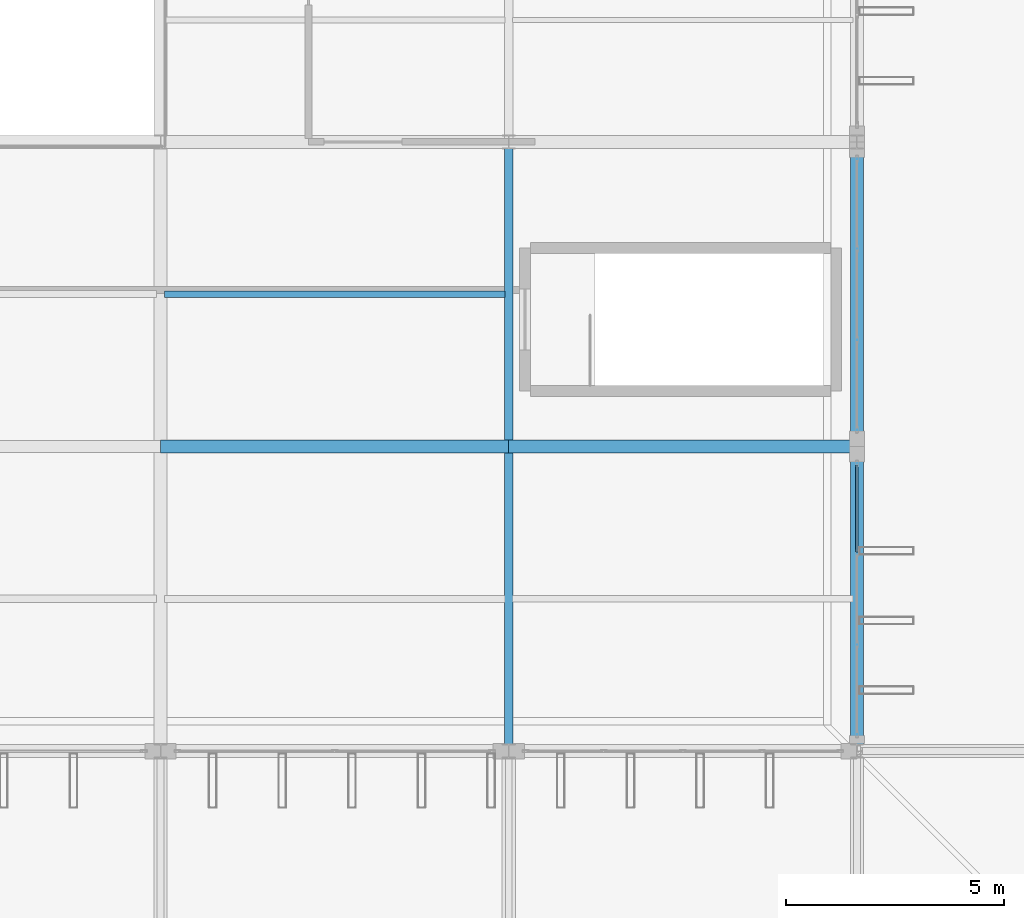
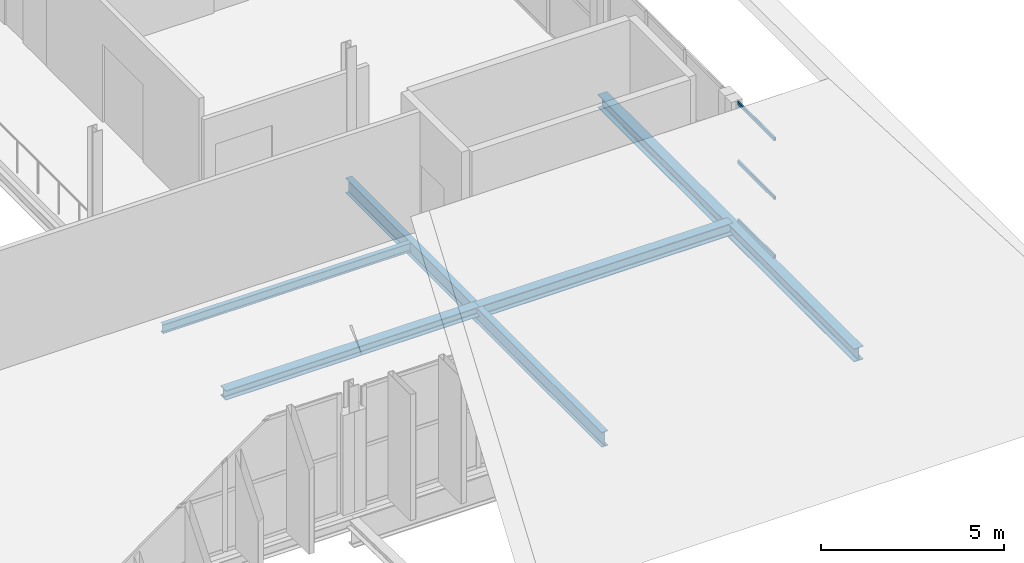
# One storey, part 39 of 93: 5 beams, 3 members, 1 element without a shape of its own.
"""IFC4 building model written with IfcOpenShell, lengths in metres."""

import ifcopenshell
import ifcopenshell.guid

model = None  # the IFC model being written
_history = None  # IfcOwnerHistory: only IFC2X3 demands one
_inside = {}  # id of a spatial element -> (the spatial element, [elements in it])
_under = {}  # id of a project, library or spatial element -> (it, [spatial elements below it])
_declared = {}  # id of a project -> (the project, [libraries it declares])
_typed = {}  # id of a type object -> (the type object, [elements of that type])
_made_of = {}  # id of a material, layer set ... -> (it, [elements and type objects made of it])


def new_model(schema):
    """Start an empty IFC model of exactly this schema.

    Asked for "IFC4X3", IfcOpenShell would pick the latest addendum, in which some entities
    have other attributes; the version numbers below select the first issue.
    IFC2X3 requires an IfcOwnerHistory on every rooted entity: one is made here for all.
    """
    global model, _history
    if schema == "IFC4X3":
        model = ifcopenshell.file(schema_version=(4, 3, 0, 0))
    else:
        model = ifcopenshell.file(schema=schema)
    _inside.clear()
    _under.clear()
    _declared.clear()
    _typed.clear()
    _made_of.clear()
    _history = None
    if model.schema == "IFC2X3":
        org = make("IfcOrganization", Name="unknown")
        user = make(
            "IfcPersonAndOrganization",
            ThePerson=make("IfcPerson", FamilyName="unknown"),
            TheOrganization=org,
        )
        app = make(
            "IfcApplication",
            ApplicationDeveloper=org,
            Version="unknown",
            ApplicationFullName="unknown",
            ApplicationIdentifier="unknown",
        )
        _history = make(
            "IfcOwnerHistory",
            OwningUser=user,
            OwningApplication=app,
            ChangeAction="ADDED",
            CreationDate=0,
        )
    return model


def make(cls, **values):
    """One entity of the class cls with the attributes given. An attribute that is None is left unset."""
    return model.create_entity(
        cls, **{name: value for name, value in values.items() if value is not None}
    )


def rooted(cls, **values):
    """An entity with a GlobalId (a new one), such as an element, a storey or a relation."""
    return make(cls, GlobalId=ifcopenshell.guid.new(), OwnerHistory=_history, **values)


def si_unit(unit_type, name, prefix=None):
    """IfcSIUnit, for example si_unit("LENGTHUNIT", "METRE", prefix="MILLI")."""
    return make("IfcSIUnit", UnitType=unit_type, Prefix=prefix, Name=name)


def assignment(units):
    """IfcUnitAssignment: the units of a project."""
    return None if units is None else make("IfcUnitAssignment", Units=units)


def point(xyz):
    """IfcCartesianPoint."""
    return None if xyz is None else make("IfcCartesianPoint", Coordinates=xyz)


def direction(xyz):
    """IfcDirection."""
    return None if xyz is None else make("IfcDirection", DirectionRatios=xyz)


def frame(location, z_axis=None, x_axis=None):
    """IfcAxis2Placement3D, a coordinate frame: its origin and axes. An axis left out is left unset."""
    return make(
        "IfcAxis2Placement3D",
        Location=point(location),
        Axis=direction(z_axis),
        RefDirection=direction(x_axis),
    )


def frame_2d(location, x_axis=None):
    """IfcAxis2Placement2D, a coordinate frame in the plane: its origin and x axis."""
    return make(
        "IfcAxis2Placement2D", Location=point(location), RefDirection=direction(x_axis)
    )


def origin():
    """The frame at (0, 0, 0) with its axes left unset."""
    return frame((0.0, 0.0, 0.0))


def origin_2d():
    """The frame at (0, 0) in the plane with its x axis left unset."""
    return frame_2d((0.0, 0.0))


def place(relative_to, where):
    """IfcLocalPlacement: puts the frame where relative to a parent placement (None: the world)."""
    return make(
        "IfcLocalPlacement", PlacementRelTo=relative_to, RelativePlacement=where
    )


def context(
    kind, dimensions, precision=None, world=None, true_north=None, identifier=None
):
    """IfcGeometricRepresentationContext, for example the 3D "Model" context."""
    return make(
        "IfcGeometricRepresentationContext",
        ContextIdentifier=identifier,
        ContextType=kind,
        CoordinateSpaceDimension=dimensions,
        Precision=precision,
        WorldCoordinateSystem=world,
        TrueNorth=true_north,
    )


def subcontext(parent, identifier, kind, view, scale=None):
    """IfcGeometricRepresentationSubContext, for example "Body" below "Model"."""
    return make(
        "IfcGeometricRepresentationSubContext",
        ContextIdentifier=identifier,
        ContextType=kind,
        ParentContext=parent,
        TargetScale=scale,
        TargetView=view,
    )


def project(units=None, contexts=None):
    """IfcProject with its units and contexts."""
    return rooted(
        "IfcProject",
        Name="project",
        RepresentationContexts=contexts,
        UnitsInContext=assignment(units),
    )


def spatial(cls, under=None, at=None, **own):
    """A site, building, storey or space (cls), placed at a placement, below another one or the project."""
    s = rooted(cls, ObjectPlacement=at, **own)
    if under is not None:
        _under.setdefault(under.id(), (under, []))[1].append(s)
    return s


def profile(cls, at=None, kind="AREA", **sizes):
    """A parametric profile (cls). Its sizes go by their IFC names, for example OverallWidth=200.0."""
    return make(cls, ProfileType=kind, Position=at, **sizes)


def hollow_rectangle(**sizes):
    """IfcRectangleHollowProfileDef."""
    return profile("IfcRectangleHollowProfileDef", **sizes)


def i_section(**sizes):
    """IfcIShapeProfileDef."""
    return profile("IfcIShapeProfileDef", **sizes)


def extrude(swept, where, along, depth):
    """IfcExtrudedAreaSolid: the profile swept, set in the frame where, extruded along a direction by depth."""
    return make(
        "IfcExtrudedAreaSolid",
        SweptArea=swept,
        Position=where,
        ExtrudedDirection=direction(along),
        Depth=depth,
    )


def shape(context_of_items, identifier, shape_type, items):
    """IfcShapeRepresentation: the items that make up one representation, for example the "Body"."""
    return make(
        "IfcShapeRepresentation",
        ContextOfItems=context_of_items,
        RepresentationIdentifier=identifier,
        RepresentationType=shape_type,
        Items=items,
    )


def material(Name=None, Category=None):
    """IfcMaterial."""
    return make("IfcMaterial", Name=Name, Category=Category)


def layer(
    of_material, thickness, ventilated=None, Name=None, Category=None, Priority=None
):
    """IfcMaterialLayer: one layer of a wall or slab, of a material (None: an air gap)."""
    return make(
        "IfcMaterialLayer",
        Material=of_material,
        LayerThickness=thickness,
        IsVentilated=ventilated,
        Name=Name,
        Category=Category,
        Priority=Priority,
    )


def layer_set(layers, Name=None):
    """IfcMaterialLayerSet."""
    return make("IfcMaterialLayerSet", MaterialLayers=layers, LayerSetName=Name)


def material_profile(
    of_material, cross_section, Name=None, Category=None, Priority=None
):
    """IfcMaterialProfile: a cross section and its material."""
    return make(
        "IfcMaterialProfile",
        Name=Name,
        Material=of_material,
        Profile=cross_section,
        Priority=Priority,
        Category=Category,
    )


def profile_set(profiles, Name=None, composite=None):
    """IfcMaterialProfileSet."""
    return make(
        "IfcMaterialProfileSet",
        Name=Name,
        MaterialProfiles=profiles,
        CompositeProfile=composite,
    )


def made_of(thing, what):
    """Note that an element or type object is made of a material, layer set ...; save() writes the relation."""
    if what is not None:
        _made_of.setdefault(what.id(), (what, []))[1].append(thing)
    return thing


def type_object(cls, material=None, **own):
    """A type object (cls), such as IfcWallType, which elements share."""
    return made_of(rooted(cls, **own), material)


def element(
    cls,
    number,
    at=None,
    inside=None,
    cuts=None,
    type_object=None,
    material=None,
    context=None,
    identifier="Body",
    shape_type=None,
    held_by="IfcProductDefinitionShape",
    body=None,
    shapes=None,
    **own,
):
    """One element of the class cls, such as IfcWall. Its Tag is "e" and its number.

    at: its placement. inside: the storey or other place that contains it. cuts: it is an
    opening in that element (IfcRelVoidsElement). A single representation is given by context,
    identifier, shape_type and body (its items); several are given by shapes. held_by: the class
    of the entity that holds the representations. save() writes the other relations.
    """
    e = rooted(cls, Tag="e%d" % number, ObjectPlacement=at, **own)
    if body is not None:
        shapes = [shape(context, identifier, shape_type, body)]
    if shapes is not None:
        e.Representation = make(held_by, Representations=shapes)
    if inside is not None:
        _inside.setdefault(inside.id(), (inside, []))[1].append(e)
    if cuts is not None:
        rooted(
            "IfcRelVoidsElement", RelatingBuildingElement=cuts, RelatedOpeningElement=e
        )
    if type_object is not None:
        _typed.setdefault(type_object.id(), (type_object, []))[1].append(e)
    return made_of(e, material)


def aggregate(whole, parts):
    """IfcRelAggregates: a whole, such as a stair, and the parts it consists of."""
    return rooted("IfcRelAggregates", RelatingObject=whole, RelatedObjects=parts)


def save(model, path):
    """Write the relations noted so far, then the file.

    IfcRelAggregates (storeys below a building ...), IfcRelContainedInSpatialStructure (elements
    in a storey), IfcRelDefinesByType, IfcRelAssociatesMaterial and IfcRelDeclares: one each for
    every whole, place, type object, material and project.
    """
    for whole, parts in _under.values():
        aggregate(whole, parts)
    for where, things in _inside.values():
        rooted(
            "IfcRelContainedInSpatialStructure",
            RelatedElements=things,
            RelatingStructure=where,
        )
    for kind, things in _typed.values():
        rooted("IfcRelDefinesByType", RelatedObjects=things, RelatingType=kind)
    for what, things in _made_of.values():
        rooted("IfcRelAssociatesMaterial", RelatedObjects=things, RelatingMaterial=what)
    for by, libraries in _declared.values():
        rooted("IfcRelDeclares", RelatingContext=by, RelatedDefinitions=libraries)
    model.write(path)


model = new_model("IFC4")

# Units and contexts
model_context = context("Model", 3, precision=1e-05, world=origin(), true_north=direction((0.0, 1.0)))
body_context = subcontext(model_context, "Body", "Model", "MODEL_VIEW")
ifc_project = project(units=[si_unit("LENGTHUNIT", "METRE"), si_unit("AREAUNIT", "SQUARE_METRE"), si_unit("VOLUMEUNIT", "CUBIC_METRE"), si_unit("PLANEANGLEUNIT", "RADIAN"), si_unit("MASSUNIT", "GRAM", prefix="KILO")], contexts=[model_context])

# Site, building, storey
site_placement = place(None, origin())
site = spatial("IfcSite", under=ifc_project, at=site_placement, CompositionType="ELEMENT")
building_placement = place(site_placement, origin())
building = spatial("IfcBuilding", under=site, at=building_placement, Name="Vekula Escarpment Museum", CompositionType="ELEMENT")
storey_placement = place(building_placement, frame((0.0, 0.0, 22.199951171875)))
storey = spatial("IfcBuildingStorey", under=building, at=storey_placement, Name="L05", CompositionType="ELEMENT", Elevation=22.199951171875)

# Beams
ifc_material_1 = material(Name="Steel S355", Category="steel")
ifc_material_profile_1 = material_profile(ifc_material_1, i_section(OverallWidth=0.300048828125, OverallDepth=0.320068359375, WebThickness=0.011474609375, FlangeThickness=0.0205078125, FilletRadius=0.027099609375, at=origin_2d()), Name="HEB 320")
ifc_profile_set_1 = profile_set([ifc_material_profile_1], Name="Steel S355")
beam_type_1 = type_object("IfcBeamType", Name="BM-GIRD-HEB320", PredefinedType="BEAM", material=ifc_profile_set_1)
beam_1_placement = place(storey_placement, frame((110.0, 52.60009765625, -0.3798828125), z_axis=(1.0, 0.0, 0.0), x_axis=(0.0, 1.0, 0.0)))
element("IfcBeam", 1, at=beam_1_placement, inside=storey, type_object=beam_type_1, Name="Beam X L05 1971", PredefinedType="BEAM", context=body_context, shape_type="SweptSolid", body=[
    extrude(i_section(OverallWidth=0.300048828125, OverallDepth=0.320068359375, WebThickness=0.011474609375, FlangeThickness=0.0205078125, FilletRadius=0.027099609375, at=origin_2d()), origin(), (0.0, 0.0, 1.0), 8.0),
])
ifc_material_2 = material(Name="Steel S355", Category="steel")
ifc_material_profile_2 = material_profile(ifc_material_2, i_section(OverallWidth=0.300048828125, OverallDepth=0.39990234375, WebThickness=0.013427734375, FlangeThickness=0.02392578125, FilletRadius=0.027099609375, at=origin_2d()), Name="HEB 400")
ifc_profile_set_2 = profile_set([ifc_material_profile_2], Name="Steel S355")
beam_type_2 = type_object("IfcBeamType", Name="BM-GIRD-HEB400", PredefinedType="BEAM", material=ifc_profile_set_2)
beam_2_placement = place(storey_placement, frame((118.0, 52.60009765625, -0.419921875), z_axis=(1.0, 0.0, 0.0), x_axis=(0.0, 1.0, 0.0)))
element("IfcBeam", 2, at=beam_2_placement, inside=storey, type_object=beam_type_2, Name="Beam X L05 1972", PredefinedType="BEAM", context=body_context, shape_type="SweptSolid", body=[
    extrude(i_section(OverallWidth=0.300048828125, OverallDepth=0.39990234375, WebThickness=0.013427734375, FlangeThickness=0.02392578125, FilletRadius=0.027099609375, at=origin_2d()), origin(), (0.0, 0.0, 1.0), 8.0),
])
ifc_material_3 = material(Name="Steel S355", Category="steel")
ifc_material_profile_3 = material_profile(ifc_material_3, i_section(OverallWidth=0.199951171875, OverallDepth=0.5, WebThickness=0.01025390625, FlangeThickness=0.01611328125, FilletRadius=0.02099609375, at=origin_2d()), Name="IPE 500")
ifc_profile_set_3 = profile_set([ifc_material_profile_3], Name="Steel S355")
beam_type_3 = type_object("IfcBeamType", Name="BM-GIRD-IPE500", PredefinedType="BEAM", material=ifc_profile_set_3)
beam_3_placement = place(storey_placement, frame((118.0, 45.60009765625, -0.469970703125), z_axis=(0.0, 1.0, 0.0), x_axis=(-1.0, 0.0, 0.0)))
element("IfcBeam", 3, at=beam_3_placement, inside=storey, type_object=beam_type_3, Name="Beam Y L05 2146", PredefinedType="BEAM", context=body_context, shape_type="SweptSolid", body=[
    extrude(i_section(OverallWidth=0.199951171875, OverallDepth=0.5, WebThickness=0.01025390625, FlangeThickness=0.01611328125, FilletRadius=0.02099609375, at=origin_2d()), origin(), (0.0, 0.0, 1.0), 14.0),
])
ifc_material_4 = material(Name="Steel S355", Category="steel")
ifc_material_profile_4 = material_profile(ifc_material_4, i_section(OverallWidth=0.14990234375, OverallDepth=0.300048828125, WebThickness=0.007080078125, FlangeThickness=0.0107421875, FilletRadius=0.014892578125, at=origin_2d()), Name="IPE 300")
ifc_profile_set_4 = profile_set([ifc_material_profile_4], Name="Steel S355")
beam_type_4 = type_object("IfcBeamType", Name="BM-JST-IPE300", PredefinedType="JOIST", material=ifc_profile_set_4)
beam_4_placement = place(storey_placement, frame((110.090087890625, 56.10009765625, -0.369873046875), z_axis=(1.0, 0.0, 0.0), x_axis=(0.0, 1.0, 0.0)))
element("IfcBeam", 4, at=beam_4_placement, inside=storey, type_object=beam_type_4, Name="Secondary Joist L05 1367", PredefinedType="JOIST", context=body_context, shape_type="SweptSolid", body=[
    extrude(i_section(OverallWidth=0.14990234375, OverallDepth=0.300048828125, WebThickness=0.007080078125, FlangeThickness=0.0107421875, FilletRadius=0.014892578125, at=origin_2d()), origin(), (0.0, 0.0, 1.0), 7.81982421875),
])
ifc_material_5 = material(Name="Steel S355", Category="steel")
ifc_material_profile_5 = material_profile(ifc_material_5, i_section(OverallWidth=0.300048828125, OverallDepth=0.43994140625, WebThickness=0.011474609375, FlangeThickness=0.02099609375, FilletRadius=0.027099609375, at=origin_2d()), Name="HEA 450")
ifc_profile_set_5 = profile_set([ifc_material_profile_5], Name="Steel S355")
beam_type_5 = type_object("IfcBeamType", Name="BM-SPAN-HEA450", PredefinedType="SPANDREL", material=ifc_profile_set_5)
beam_5_placement = place(storey_placement, frame((126.0, 45.60009765625, -0.43994140625), z_axis=(0.0, 1.0, 0.0), x_axis=(-1.0, 0.0, 0.0)))
element("IfcBeam", 5, at=beam_5_placement, inside=storey, type_object=beam_type_5, Name="Beam Y L05 2150", PredefinedType="SPANDREL", context=body_context, shape_type="SweptSolid", body=[
    extrude(i_section(OverallWidth=0.300048828125, OverallDepth=0.43994140625, WebThickness=0.011474609375, FlangeThickness=0.02099609375, FilletRadius=0.027099609375, at=origin_2d()), origin(), (0.0, 0.0, 1.0), 14.0),
])

# Curtain wall, members
ifc_material_6 = material(Name="Aluminium thermally broken framing", Category="aluminium")
ifc_layer = layer(ifc_material_6, 0.169921875)
ifc_layer_set = layer_set([ifc_layer], Name="Aluminium thermally broken framing")
curtain_wall_type = type_object("IfcCurtainWallType", Name="CW-SYS-10", PredefinedType="NOTDEFINED", material=ifc_layer_set)
curtain_wall_placement = place(storey_placement, origin())
curtain_wall = element("IfcCurtainWall", 6, at=curtain_wall_placement, inside=storey, type_object=curtain_wall_type, Name="Curtain Wall CW-L05-170", PredefinedType="NOTDEFINED")
ifc_material_7 = material(Name="Aluminium anodized transom", Category="aluminium")
ifc_material_profile_6 = material_profile(ifc_material_7, hollow_rectangle(XDim=0.06005859375, YDim=0.1201171875, WallThickness=0.00390625, InnerFilletRadius=0.00390625, OuterFilletRadius=0.008056640625, at=origin_2d()), Name="ALU 120x60x4")
ifc_profile_set_6 = profile_set([ifc_material_profile_6], Name="Aluminium anodized transom")
member_type = type_object("IfcMemberType", Name="CW-TRN-120", PredefinedType="USERDEFINED", material=ifc_profile_set_6)
member_1_placement = place(storey_placement, frame((126.0, 50.1767578125, 0.030029296875), z_axis=(0.0, 1.0, 0.0), x_axis=(-1.0, 0.0, 0.0)))
member_1 = element("IfcMember", 7, at=member_1_placement, type_object=member_type, Name="CW-10 transom 3.1", ObjectType="TRANSOM", PredefinedType="USERDEFINED", context=body_context, shape_type="SweptSolid", body=[
    extrude(hollow_rectangle(XDim=0.06005859375, YDim=0.1201171875, WallThickness=0.00390625, InnerFilletRadius=0.00390625, OuterFilletRadius=0.008056640625, at=origin_2d()), origin(), (0.0, 0.0, 1.0), 2.003173828125),
])
member_2_placement = place(storey_placement, frame((126.0, 50.1767578125, 1.989990234375), z_axis=(0.0, 1.0, 0.0), x_axis=(-1.0, 0.0, 0.0)))
member_2 = element("IfcMember", 8, at=member_2_placement, type_object=member_type, Name="CW-10 transom 3.2", ObjectType="TRANSOM", PredefinedType="USERDEFINED", context=body_context, shape_type="SweptSolid", body=[
    extrude(hollow_rectangle(XDim=0.06005859375, YDim=0.1201171875, WallThickness=0.00390625, InnerFilletRadius=0.00390625, OuterFilletRadius=0.008056640625, at=origin_2d()), origin(), (0.0, 0.0, 1.0), 2.003173828125),
])
member_3_placement = place(storey_placement, frame((126.0, 50.1767578125, 3.949951171875), z_axis=(0.0, 1.0, 0.0), x_axis=(-1.0, 0.0, 0.0)))
member_3 = element("IfcMember", 9, at=member_3_placement, type_object=member_type, Name="CW-10 transom 3.3", ObjectType="TRANSOM", PredefinedType="USERDEFINED", context=body_context, shape_type="SweptSolid", body=[
    extrude(hollow_rectangle(XDim=0.06005859375, YDim=0.1201171875, WallThickness=0.00390625, InnerFilletRadius=0.00390625, OuterFilletRadius=0.008056640625, at=origin_2d()), origin(), (0.0, 0.0, 1.0), 2.003173828125),
])
aggregate(curtain_wall, [member_1, member_2, member_3])

save(model, "model.ifc")
